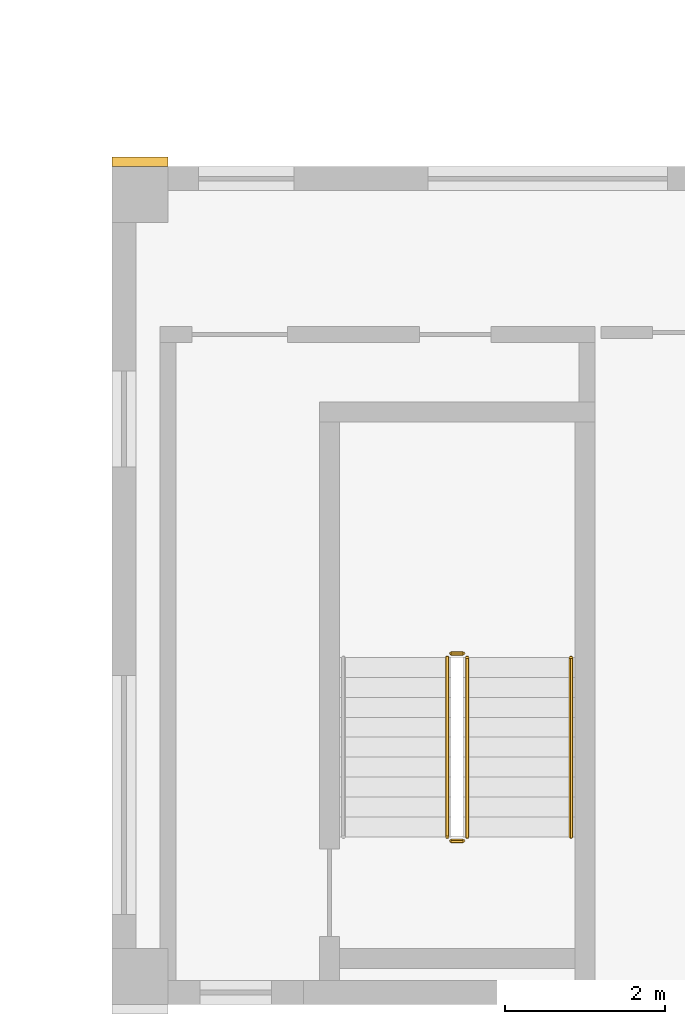
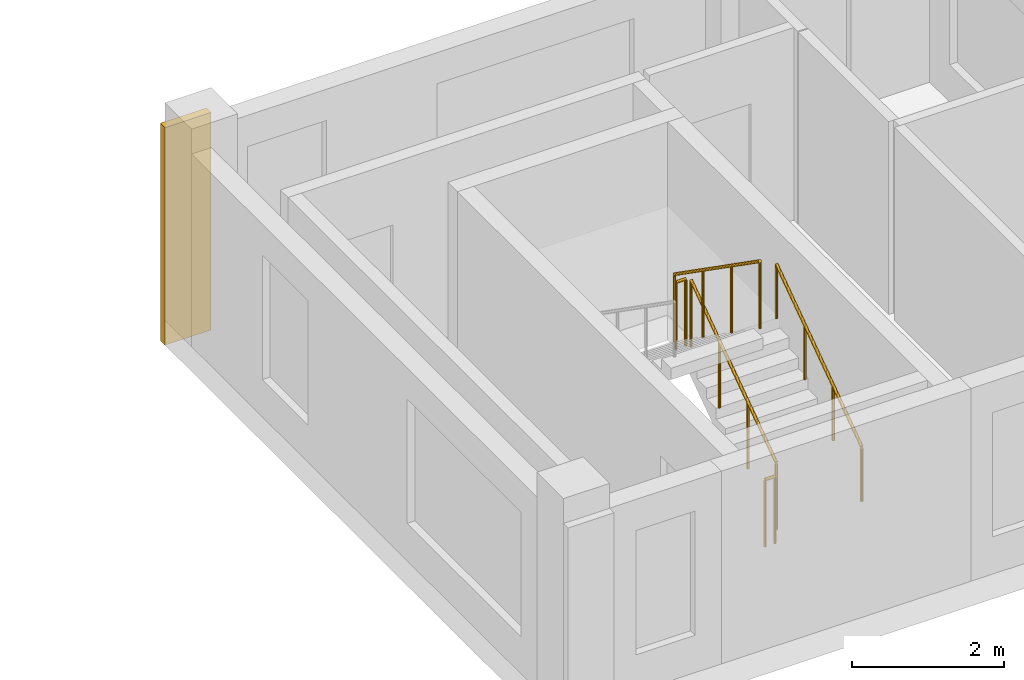
# One storey, part 8 of 9: 5 railings, 1 covering.
"""IFC4 building model written with IfcOpenShell, lengths in metres."""

from ifc_helpers import new_model, si_unit, direction, frame, origin, origin_2d, place, context, subcontext, project, spatial, rectangle, circle, extrude, source, transform, mapped, material, type_object, element, save


model = new_model("IFC4")

# Units and contexts
model_context = context("Model", 3, precision=1e-05, world=origin(), true_north=direction((0.0, 1.0)))
body_context = subcontext(model_context, "Body", "Model", "MODEL_VIEW")
ifc_project = project(units=[si_unit("LENGTHUNIT", "METRE"), si_unit("AREAUNIT", "SQUARE_METRE"), si_unit("VOLUMEUNIT", "CUBIC_METRE"), si_unit("PLANEANGLEUNIT", "RADIAN"), si_unit("MASSUNIT", "GRAM", prefix="KILO")], contexts=[model_context])

# Site, building, storey
site_placement = place(None, origin())
site = spatial("IfcSite", under=ifc_project, at=site_placement, CompositionType="ELEMENT")
building_placement = place(site_placement, origin())
building = spatial("IfcBuilding", under=site, at=building_placement, Name="Aurelian Terraces", CompositionType="ELEMENT")
storey_placement = place(building_placement, frame((0.0, 0.0, 298.5)))
storey = spatial("IfcBuildingStorey", under=building, at=storey_placement, Name="L68", CompositionType="ELEMENT", Elevation=298.5)

# Covering
ifc_material_1 = material(Name="Terracotta rainscreen cladding relief", Category="masonry")
covering_type = type_object("IfcCoveringType", Name="BAGUETTE-TC", PredefinedType="CLADDING", material=ifc_material_1)
shared_shape_1 = source(origin(), body_context, "Body", "SweptSolid", [
    extrude(rectangle(XDim=0.7, YDim=0.12, at=origin_2d()), origin(), (0.0, 0.0, 1.0), 3.5),
])
covering_placement = place(storey_placement, frame((38.15, 10.56, -0.4), z_axis=(0.0, 0.0, 1.0), x_axis=(1.0, 0.0, 0.0)))
element("IfcCovering", 1, at=covering_placement, inside=storey, type_object=covering_type, Name="BAGUETTE pier L68 3", PredefinedType="CLADDING", context=body_context, shape_type="MappedRepresentation", body=[
    mapped(shared_shape_1, transform((0.0, 0.0, 0.0), scale=1.0)),
])

# Railings
ifc_material_2 = material(Name="Stainless steel", Category="steel")
railing_type_1 = type_object("IfcRailingType", Name="Stair guard 1100", PredefinedType="GUARDRAIL", material=ifc_material_2)
shared_shape_2 = source(origin(), body_context, "Body", "SweptSolid", [
    extrude(circle(Radius=0.024, at=origin_2d()), frame((0.0, 0.0, 1.076), z_axis=(-1.0, 0.0, 0.0), x_axis=(0.0, -1.0, 0.0)), (0.0, 0.0, 1.0), 0.15),
    extrude(circle(Radius=0.021, at=origin_2d()), origin(), (0.0, 0.0, 1.0), 1.052),
    extrude(circle(Radius=0.021, at=origin_2d()), frame((-0.15, 0.0, 0.0)), (0.0, 0.0, 1.0), 1.052),
])
for number, where, name in (
    (2, (42.2, 4.4, 1.75), "L68 S2 stair guard 2"),
    (3, (42.2, 2.05, 0.0), "L68 S2 stair guard 4"),
):
    element("IfcRailing", number, at=place(storey_placement, frame(where)), inside=storey, type_object=railing_type_1, Name=name, PredefinedType="GUARDRAIL", context=body_context, shape_type="MappedRepresentation", body=[
        mapped(shared_shape_2, transform((0.0, 0.0, 0.0), scale=1.0)),
    ])
shared_shape_3 = source(origin(), body_context, "Body", "SweptSolid", [
    extrude(circle(Radius=0.024, at=origin_2d()), frame((0.0, 0.0, 1.076), z_axis=(0.0, 0.819231920519, 0.573462344363), x_axis=(-1.0, 0.0, 0.0)), (0.0, 0.0, 1.0), 2.7465),
    extrude(circle(Radius=0.021, at=origin_2d()), origin(), (0.0, 0.0, 1.0), 1.052),
    extrude(circle(Radius=0.021, at=origin_2d()), frame((0.0, 0.75, 0.525)), (0.0, 0.0, 1.0), 1.052),
    extrude(circle(Radius=0.021, at=origin_2d()), frame((0.0, 1.5, 1.05)), (0.0, 0.0, 1.0), 1.052),
    extrude(circle(Radius=0.021, at=origin_2d()), frame((0.0, 2.25, 1.575)), (0.0, 0.0, 1.0), 1.052),
])
railing_1_placement = place(storey_placement, frame((42.25, 2.1, 0.175)))
element("IfcRailing", 4, at=railing_1_placement, inside=storey, type_object=railing_type_1, Name="L68 S2 stair guard 1", PredefinedType="GUARDRAIL", context=body_context, shape_type="MappedRepresentation", body=[
    mapped(shared_shape_3, transform((0.0, 0.0, 0.0), scale=1.0)),
])
shared_shape_4 = source(origin(), body_context, "Body", "SweptSolid", [
    extrude(circle(Radius=0.024, at=origin_2d()), frame((0.0, 0.0, 1.076), z_axis=(0.0, -0.819231920519, 0.573462344363), x_axis=(1.0, 0.0, 0.0)), (0.0, 0.0, 1.0), 2.7465),
    extrude(circle(Radius=0.021, at=origin_2d()), origin(), (0.0, 0.0, 1.0), 1.052),
    extrude(circle(Radius=0.021, at=origin_2d()), frame((0.0, -0.75, 0.525)), (0.0, 0.0, 1.0), 1.052),
    extrude(circle(Radius=0.021, at=origin_2d()), frame((0.0, -1.5, 1.05)), (0.0, 0.0, 1.0), 1.052),
    extrude(circle(Radius=0.021, at=origin_2d()), frame((0.0, -2.25, 1.575)), (0.0, 0.0, 1.0), 1.052),
])
railing_2_placement = place(storey_placement, frame((42.0, 4.35, 1.925)))
element("IfcRailing", 5, at=railing_2_placement, inside=storey, type_object=railing_type_1, Name="L68 S2 stair guard 3", PredefinedType="GUARDRAIL", context=body_context, shape_type="MappedRepresentation", body=[
    mapped(shared_shape_4, transform((0.0, 0.0, 0.0), scale=1.0)),
])
railing_type_2 = type_object("IfcRailingType", Name="Stair handrail", PredefinedType="HANDRAIL", material=ifc_material_2)
shared_shape_5 = source(origin(), body_context, "Body", "SweptSolid", [
    extrude(circle(Radius=0.024, at=origin_2d()), frame((0.0, 0.0, 0.876), z_axis=(0.0, 0.819231920519, 0.573462344363), x_axis=(-1.0, 0.0, 0.0)), (0.0, 0.0, 1.0), 2.7465),
    extrude(circle(Radius=0.021, at=origin_2d()), origin(), (0.0, 0.0, 1.0), 0.852),
    extrude(circle(Radius=0.021, at=origin_2d()), frame((0.0, 0.75, 0.525)), (0.0, 0.0, 1.0), 0.852),
    extrude(circle(Radius=0.021, at=origin_2d()), frame((0.0, 1.5, 1.05)), (0.0, 0.0, 1.0), 0.852),
    extrude(circle(Radius=0.021, at=origin_2d()), frame((0.0, 2.25, 1.575)), (0.0, 0.0, 1.0), 0.852),
])
railing_3_placement = place(storey_placement, frame((43.55, 2.1, 0.175)))
element("IfcRailing", 6, at=railing_3_placement, inside=storey, type_object=railing_type_2, Name="L68 S2 stair handrail 1", PredefinedType="HANDRAIL", context=body_context, shape_type="MappedRepresentation", body=[
    mapped(shared_shape_5, transform((0.0, 0.0, 0.0), scale=1.0)),
])

save(model, "model.ifc")
